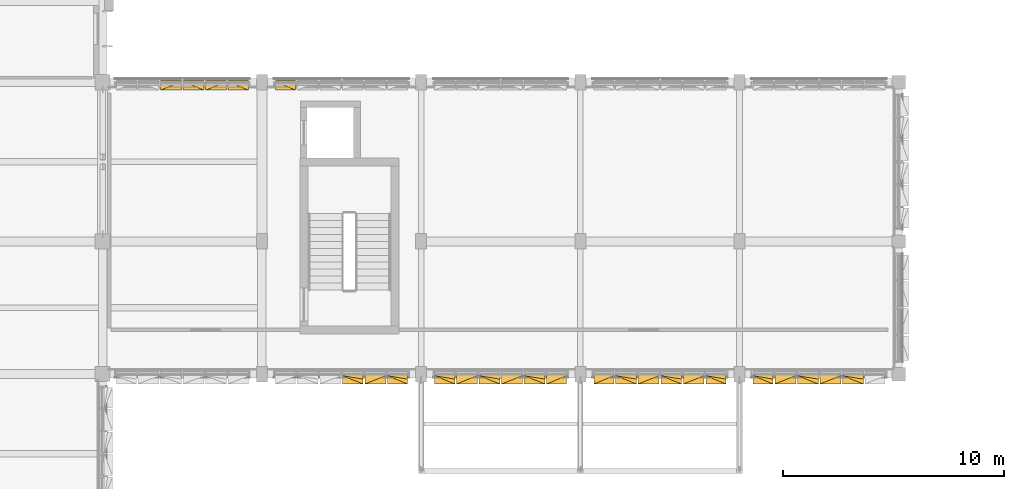
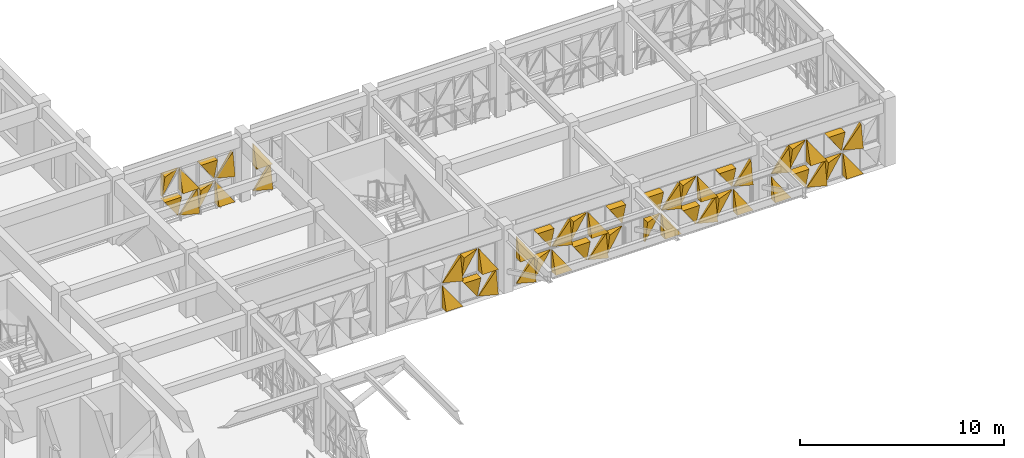
# One storey, part 86 of 88: 50 coverings.
"""IFC4 building model written with IfcOpenShell, lengths in metres."""

from ifc_helpers import new_model, si_unit, direction, frame, origin, place, context, subcontext, project, spatial, polygons, material, layer, layer_set, type_object, element, save


model = new_model("IFC4")

# Units and contexts
model_context = context("Model", 3, precision=1e-05, world=origin(), true_north=direction((0.0, 1.0)))
body_context = subcontext(model_context, "Body", "Model", "MODEL_VIEW")
ifc_project = project(units=[si_unit("LENGTHUNIT", "METRE"), si_unit("AREAUNIT", "SQUARE_METRE"), si_unit("VOLUMEUNIT", "CUBIC_METRE"), si_unit("PLANEANGLEUNIT", "RADIAN"), si_unit("MASSUNIT", "GRAM", prefix="KILO")], contexts=[model_context])

# Site, building, storey
site_placement = place(None, origin())
site = spatial("IfcSite", under=ifc_project, at=site_placement, CompositionType="ELEMENT")
building_placement = place(site_placement, origin())
building = spatial("IfcBuilding", under=site, at=building_placement, Name="Alvorim Cloister Faculty of Sciences", CompositionType="ELEMENT")
storey_placement = place(building_placement, frame((0.0, 0.0, 4.5)))
storey = spatial("IfcBuildingStorey", under=building, at=storey_placement, Name="L01", CompositionType="ELEMENT", Elevation=4.5)

# Coverings
ifc_material = material(Name="Perforated Bronze Alloy Sheet", Category="metal")
ifc_layer = layer(ifc_material, 0.0380859375)
ifc_layer_set = layer_set([ifc_layer], Name="Perforated Bronze Alloy Sheet")
covering_type = type_object("IfcCoveringType", Name="COV-TRI-BRZ", PredefinedType="CLADDING", material=ifc_layer_set)
covering_1_placement = place(storey_placement, frame((31.41748046875, 56.445068359375, 0.159912109375), z_axis=(0.0, 0.0, 1.0), x_axis=(1.0, 0.0, 0.0)))
element("IfcCovering", 1, at=covering_1_placement, inside=storey, type_object=covering_type, Name="Diagonal Solid Metal Triangle TRI-TR", PredefinedType="CLADDING", context=body_context, shape_type="Tessellation", body=[
    polygons([(0.945068359375, 0.0260009765625, 0.002), (0.945068359375, 0.0260009765625, 1.344970703125), (0.002, 0.0260009765625, 1.344970703125), (0.945068359375, -0.03, 0.002), (0.945068359375, -0.4, 1.344970703125), (0.002, -0.4, 1.344970703125)], [[[1, 3, 2]], [[4, 5, 6]], [[1, 2, 5, 4]], [[2, 3, 6, 5]], [[3, 1, 4, 6]]], closed=True),
])
covering_2_placement = place(storey_placement, frame((31.41748046875, 56.445068359375, 1.6650390625), z_axis=(0.0, 0.0, 1.0), x_axis=(1.0, 0.0, 0.0)))
element("IfcCovering", 2, at=covering_2_placement, inside=storey, type_object=covering_type, Name="Diagonal Solid Metal Triangle TRI-TL", PredefinedType="CLADDING", context=body_context, shape_type="Tessellation", body=[
    polygons([(0.943068359375, 0.0260009765625, 1.344970703125), (0.0, 0.0260009765625, 1.344970703125), (0.0, 0.0260009765625, 0.002), (0.943068359375, -0.03, 1.344970703125), (0.0, -0.4, 1.344970703125), (0.0, -0.13999999999999999, 0.002)], [[[1, 3, 2]], [[4, 5, 6]], [[1, 2, 5, 4]], [[2, 3, 6, 5]], [[3, 1, 4, 6]]], closed=True),
])
covering_3_placement = place(storey_placement, frame((32.4375, 56.445068359375, 0.159912109375), z_axis=(0.0, 0.0, 1.0), x_axis=(1.0, 0.0, 0.0)))
element("IfcCovering", 3, at=covering_3_placement, inside=storey, type_object=covering_type, Name="Diagonal Solid Metal Triangle TRI-BR", PredefinedType="CLADDING", context=body_context, shape_type="Tessellation", body=[
    polygons([(0.002, 0.0260009765625, 0.0), (0.945068359375, 0.0260009765625, 0.0), (0.945068359375, 0.0260009765625, 1.342970703125), (0.002, -0.03, 0.0), (0.945068359375, -0.4, 0.0), (0.945068359375, -0.18000000000000002, 1.342970703125)], [[[1, 3, 2]], [[4, 5, 6]], [[1, 2, 5, 4]], [[2, 3, 6, 5]], [[3, 1, 4, 6]]], closed=True),
])
covering_4_placement = place(storey_placement, frame((32.4375, 56.445068359375, 1.6650390625), z_axis=(0.0, 0.0, 1.0), x_axis=(1.0, 0.0, 0.0)))
element("IfcCovering", 4, at=covering_4_placement, inside=storey, type_object=covering_type, Name="Diagonal Solid Metal Triangle TRI-BL", PredefinedType="CLADDING", context=body_context, shape_type="Tessellation", body=[
    polygons([(0.0, 0.0260009765625, 0.0), (0.943068359375, 0.0260009765625, 0.0), (0.0, 0.0260009765625, 1.342970703125), (0.0, -0.4, 0.0), (0.943068359375, -0.4, 0.0), (0.0, -0.03, 1.342970703125)], [[[1, 3, 2]], [[4, 5, 6]], [[1, 2, 5, 4]], [[2, 3, 6, 5]], [[3, 1, 4, 6]]], closed=True),
])
covering_5_placement = place(storey_placement, frame((33.45751953125, 56.445068359375, 0.159912109375), z_axis=(0.0, 0.0, 1.0), x_axis=(1.0, 0.0, 0.0)))
element("IfcCovering", 5, at=covering_5_placement, inside=storey, type_object=covering_type, Name="Diagonal Solid Metal Triangle TRI-TL", PredefinedType="CLADDING", context=body_context, shape_type="Tessellation", body=[
    polygons([(0.943068359375, 0.0260009765625, 1.344970703125), (0.0, 0.0260009765625, 1.344970703125), (0.0, 0.0260009765625, 0.002), (0.943068359375, -0.03, 1.344970703125), (0.0, -0.4, 1.344970703125), (0.0, -0.13999999999999999, 0.002)], [[[1, 3, 2]], [[4, 5, 6]], [[1, 2, 5, 4]], [[2, 3, 6, 5]], [[3, 1, 4, 6]]], closed=True),
])
covering_6_placement = place(storey_placement, frame((33.45751953125, 56.445068359375, 1.6650390625), z_axis=(0.0, 0.0, 1.0), x_axis=(1.0, 0.0, 0.0)))
element("IfcCovering", 6, at=covering_6_placement, inside=storey, type_object=covering_type, Name="Diagonal Solid Metal Triangle TRI-TR", PredefinedType="CLADDING", context=body_context, shape_type="Tessellation", body=[
    polygons([(0.945068359375, 0.0260009765625, 0.002), (0.945068359375, 0.0260009765625, 1.344970703125), (0.002, 0.0260009765625, 1.344970703125), (0.945068359375, -0.03, 0.002), (0.945068359375, -0.4, 1.344970703125), (0.002, -0.4, 1.344970703125)], [[[1, 3, 2]], [[4, 5, 6]], [[1, 2, 5, 4]], [[2, 3, 6, 5]], [[3, 1, 4, 6]]], closed=True),
])
covering_7_placement = place(storey_placement, frame((34.4775390625, 56.445068359375, 0.159912109375), z_axis=(0.0, 0.0, 1.0), x_axis=(1.0, 0.0, 0.0)))
element("IfcCovering", 7, at=covering_7_placement, inside=storey, type_object=covering_type, Name="Diagonal Solid Metal Triangle TRI-BL", PredefinedType="CLADDING", context=body_context, shape_type="Tessellation", body=[
    polygons([(0.0, 0.0260009765625, 0.0), (0.905470703125, 0.0260009765625, 0.0), (0.0, 0.0260009765625, 1.342970703125), (0.0, -0.4, 0.0), (0.905470703125, -0.4, 0.0), (0.0, -0.03, 1.342970703125)], [[[1, 3, 2]], [[4, 5, 6]], [[1, 2, 5, 4]], [[2, 3, 6, 5]], [[3, 1, 4, 6]]], closed=True),
])
for number, where, z_axis, x_axis, name in (
    (8, (34.4775390625, 56.445068359375, 1.6650390625), (0.0, 0.0, 1.0), (1.0, 0.0, 0.0), "Diagonal Solid Metal Triangle TRI-BR"),
    (9, (36.614990234375, 56.445068359375, 0.159912109375), (0.0, 0.0, 1.0), (1.0, 0.0, 0.0), "Diagonal Solid Metal Triangle TRI-BR"),
):
    element("IfcCovering", number, at=place(storey_placement, frame(where, z_axis=z_axis, x_axis=x_axis)), inside=storey, type_object=covering_type, Name=name, PredefinedType="CLADDING", context=body_context, shape_type="Tessellation", body=[
        polygons([(0.002, 0.0260009765625, 0.0), (0.907470703125, 0.0260009765625, 0.0), (0.907470703125, 0.0260009765625, 1.342970703125), (0.002, -0.03, 0.0), (0.907470703125, -0.4, 0.0), (0.907470703125, -0.18000000000000002, 1.342970703125)], [[[1, 3, 2]], [[4, 5, 6]], [[1, 2, 5, 4]], [[2, 3, 6, 5]], [[3, 1, 4, 6]]], closed=True),
    ])
for number, where, z_axis, x_axis, name in (
    (10, (36.614990234375, 56.445068359375, 1.6650390625), (0.0, 0.0, 1.0), (1.0, 0.0, 0.0), "Diagonal Solid Metal Triangle TRI-BL"),
    (11, (58.215087890625, 43.155029296875, 0.159912109375), (0.0, 0.0, 1.0), (1.0, 0.0, 0.0), "Diagonal Solid Metal Triangle TRI-BL"),
):
    element("IfcCovering", number, at=place(storey_placement, frame(where, z_axis=z_axis, x_axis=x_axis)), inside=storey, type_object=covering_type, Name=name, PredefinedType="CLADDING", context=body_context, shape_type="Tessellation", body=[
        polygons([(0.0, 0.0260009765625, 0.0), (0.905470703125, 0.0260009765625, 0.0), (0.0, 0.0260009765625, 1.342970703125), (0.0, -0.4, 0.0), (0.905470703125, -0.4, 0.0), (0.0, -0.03, 1.342970703125)], [[[1, 3, 2]], [[4, 5, 6]], [[1, 2, 5, 4]], [[2, 3, 6, 5]], [[3, 1, 4, 6]]], closed=True),
    ])
covering_8_placement = place(storey_placement, frame((58.215087890625, 43.155029296875, 1.6650390625), z_axis=(0.0, 0.0, 1.0), x_axis=(1.0, 0.0, 0.0)))
element("IfcCovering", 12, at=covering_8_placement, inside=storey, type_object=covering_type, Name="Diagonal Solid Metal Triangle TRI-BR", PredefinedType="CLADDING", context=body_context, shape_type="Tessellation", body=[
    polygons([(0.002, 0.0260009765625, 0.0), (0.907470703125, 0.0260009765625, 0.0), (0.907470703125, 0.0260009765625, 1.342970703125), (0.002, -0.03, 0.0), (0.907470703125, -0.4, 0.0), (0.907470703125, -0.18000000000000002, 1.342970703125)], [[[1, 3, 2]], [[4, 5, 6]], [[1, 2, 5, 4]], [[2, 3, 6, 5]], [[3, 1, 4, 6]]], closed=True),
])
covering_9_placement = place(storey_placement, frame((59.197509765625, 43.155029296875, 0.159912109375), z_axis=(0.0, 0.0, 1.0), x_axis=(1.0, 0.0, 0.0)))
element("IfcCovering", 13, at=covering_9_placement, inside=storey, type_object=covering_type, Name="Diagonal Solid Metal Triangle TRI-TR", PredefinedType="CLADDING", context=body_context, shape_type="Tessellation", body=[
    polygons([(0.945068359375, 0.0260009765625, 0.002), (0.945068359375, 0.0260009765625, 1.344970703125), (0.002, 0.0260009765625, 1.344970703125), (0.945068359375, -0.03, 0.002), (0.945068359375, -0.4, 1.344970703125), (0.002, -0.4, 1.344970703125)], [[[1, 3, 2]], [[4, 5, 6]], [[1, 2, 5, 4]], [[2, 3, 6, 5]], [[3, 1, 4, 6]]], closed=True),
])
covering_10_placement = place(storey_placement, frame((59.197509765625, 43.155029296875, 1.6650390625), z_axis=(0.0, 0.0, 1.0), x_axis=(1.0, 0.0, 0.0)))
element("IfcCovering", 14, at=covering_10_placement, inside=storey, type_object=covering_type, Name="Diagonal Solid Metal Triangle TRI-TL", PredefinedType="CLADDING", context=body_context, shape_type="Tessellation", body=[
    polygons([(0.943068359375, 0.0260009765625, 1.344970703125), (0.0, 0.0260009765625, 1.344970703125), (0.0, 0.0260009765625, 0.002), (0.943068359375, -0.03, 1.344970703125), (0.0, -0.4, 1.344970703125), (0.0, -0.13999999999999999, 0.002)], [[[1, 3, 2]], [[4, 5, 6]], [[1, 2, 5, 4]], [[2, 3, 6, 5]], [[3, 1, 4, 6]]], closed=True),
])
covering_11_placement = place(storey_placement, frame((60.217529296875, 43.155029296875, 0.159912109375), z_axis=(0.0, 0.0, 1.0), x_axis=(1.0, 0.0, 0.0)))
element("IfcCovering", 15, at=covering_11_placement, inside=storey, type_object=covering_type, Name="Diagonal Solid Metal Triangle TRI-BR", PredefinedType="CLADDING", context=body_context, shape_type="Tessellation", body=[
    polygons([(0.002, 0.0260009765625, 0.0), (0.945068359375, 0.0260009765625, 0.0), (0.945068359375, 0.0260009765625, 1.342970703125), (0.002, -0.03, 0.0), (0.945068359375, -0.4, 0.0), (0.945068359375, -0.18000000000000002, 1.342970703125)], [[[1, 3, 2]], [[4, 5, 6]], [[1, 2, 5, 4]], [[2, 3, 6, 5]], [[3, 1, 4, 6]]], closed=True),
])
covering_12_placement = place(storey_placement, frame((60.217529296875, 43.155029296875, 1.6650390625), z_axis=(0.0, 0.0, 1.0), x_axis=(1.0, 0.0, 0.0)))
element("IfcCovering", 16, at=covering_12_placement, inside=storey, type_object=covering_type, Name="Diagonal Solid Metal Triangle TRI-BL", PredefinedType="CLADDING", context=body_context, shape_type="Tessellation", body=[
    polygons([(0.0, 0.0260009765625, 0.0), (0.943068359375, 0.0260009765625, 0.0), (0.0, 0.0260009765625, 1.342970703125), (0.0, -0.4, 0.0), (0.943068359375, -0.4, 0.0), (0.0, -0.03, 1.342970703125)], [[[1, 3, 2]], [[4, 5, 6]], [[1, 2, 5, 4]], [[2, 3, 6, 5]], [[3, 1, 4, 6]]], closed=True),
])
covering_13_placement = place(storey_placement, frame((61.237548828125, 43.155029296875, 0.159912109375), z_axis=(0.0, 0.0, 1.0), x_axis=(1.0, 0.0, 0.0)))
element("IfcCovering", 17, at=covering_13_placement, inside=storey, type_object=covering_type, Name="Diagonal Solid Metal Triangle TRI-TL", PredefinedType="CLADDING", context=body_context, shape_type="Tessellation", body=[
    polygons([(0.943068359375, 0.0260009765625, 1.344970703125), (0.0, 0.0260009765625, 1.344970703125), (0.0, 0.0260009765625, 0.002), (0.943068359375, -0.03, 1.344970703125), (0.0, -0.4, 1.344970703125), (0.0, -0.13999999999999999, 0.002)], [[[1, 3, 2]], [[4, 5, 6]], [[1, 2, 5, 4]], [[2, 3, 6, 5]], [[3, 1, 4, 6]]], closed=True),
])
covering_14_placement = place(storey_placement, frame((61.237548828125, 43.155029296875, 1.6650390625), z_axis=(0.0, 0.0, 1.0), x_axis=(1.0, 0.0, 0.0)))
element("IfcCovering", 18, at=covering_14_placement, inside=storey, type_object=covering_type, Name="Diagonal Solid Metal Triangle TRI-TR", PredefinedType="CLADDING", context=body_context, shape_type="Tessellation", body=[
    polygons([(0.945068359375, 0.0260009765625, 0.002), (0.945068359375, 0.0260009765625, 1.344970703125), (0.002, 0.0260009765625, 1.344970703125), (0.945068359375, -0.03, 0.002), (0.945068359375, -0.4, 1.344970703125), (0.002, -0.4, 1.344970703125)], [[[1, 3, 2]], [[4, 5, 6]], [[1, 2, 5, 4]], [[2, 3, 6, 5]], [[3, 1, 4, 6]]], closed=True),
])
covering_15_placement = place(storey_placement, frame((62.257568359375, 43.155029296875, 0.159912109375), z_axis=(0.0, 0.0, 1.0), x_axis=(1.0, 0.0, 0.0)))
element("IfcCovering", 19, at=covering_15_placement, inside=storey, type_object=covering_type, Name="Diagonal Solid Metal Triangle TRI-BL", PredefinedType="CLADDING", context=body_context, shape_type="Tessellation", body=[
    polygons([(0.0, 0.0260009765625, 0.0), (0.943068359375, 0.0260009765625, 0.0), (0.0, 0.0260009765625, 1.342970703125), (0.0, -0.4, 0.0), (0.943068359375, -0.4, 0.0), (0.0, -0.03, 1.342970703125)], [[[1, 3, 2]], [[4, 5, 6]], [[1, 2, 5, 4]], [[2, 3, 6, 5]], [[3, 1, 4, 6]]], closed=True),
])
covering_16_placement = place(storey_placement, frame((62.257568359375, 43.155029296875, 1.6650390625), z_axis=(0.0, 0.0, 1.0), x_axis=(1.0, 0.0, 0.0)))
element("IfcCovering", 20, at=covering_16_placement, inside=storey, type_object=covering_type, Name="Diagonal Solid Metal Triangle TRI-BR", PredefinedType="CLADDING", context=body_context, shape_type="Tessellation", body=[
    polygons([(0.002, 0.0260009765625, 0.0), (0.945068359375, 0.0260009765625, 0.0), (0.945068359375, 0.0260009765625, 1.342970703125), (0.002, -0.03, 0.0), (0.945068359375, -0.4, 0.0), (0.945068359375, -0.18000000000000002, 1.342970703125)], [[[1, 3, 2]], [[4, 5, 6]], [[1, 2, 5, 4]], [[2, 3, 6, 5]], [[3, 1, 4, 6]]], closed=True),
])
covering_17_placement = place(storey_placement, frame((51.014892578125, 43.155029296875, 0.159912109375), z_axis=(0.0, 0.0, 1.0), x_axis=(1.0, 0.0, 0.0)))
element("IfcCovering", 21, at=covering_17_placement, inside=storey, type_object=covering_type, Name="Diagonal Solid Metal Triangle TRI-TL", PredefinedType="CLADDING", context=body_context, shape_type="Tessellation", body=[
    polygons([(0.905470703125, 0.0260009765625, 1.344970703125), (0.0, 0.0260009765625, 1.344970703125), (0.0, 0.0260009765625, 0.002), (0.905470703125, -0.03, 1.344970703125), (0.0, -0.4, 1.344970703125), (0.0, -0.13999999999999999, 0.002)], [[[1, 3, 2]], [[4, 5, 6]], [[1, 2, 5, 4]], [[2, 3, 6, 5]], [[3, 1, 4, 6]]], closed=True),
])
covering_18_placement = place(storey_placement, frame((51.014892578125, 43.155029296875, 1.6650390625), z_axis=(0.0, 0.0, 1.0), x_axis=(1.0, 0.0, 0.0)))
element("IfcCovering", 22, at=covering_18_placement, inside=storey, type_object=covering_type, Name="Diagonal Solid Metal Triangle TRI-TR", PredefinedType="CLADDING", context=body_context, shape_type="Tessellation", body=[
    polygons([(0.907470703125, 0.0260009765625, 0.002), (0.907470703125, 0.0260009765625, 1.344970703125), (0.002, 0.0260009765625, 1.344970703125), (0.907470703125, -0.03, 0.002), (0.907470703125, -0.4, 1.344970703125), (0.002, -0.4, 1.344970703125)], [[[1, 3, 2]], [[4, 5, 6]], [[1, 2, 5, 4]], [[2, 3, 6, 5]], [[3, 1, 4, 6]]], closed=True),
])
covering_19_placement = place(storey_placement, frame((51.99755859375, 43.155029296875, 0.159912109375), z_axis=(0.0, 0.0, 1.0), x_axis=(1.0, 0.0, 0.0)))
element("IfcCovering", 23, at=covering_19_placement, inside=storey, type_object=covering_type, Name="Diagonal Solid Metal Triangle TRI-BL", PredefinedType="CLADDING", context=body_context, shape_type="Tessellation", body=[
    polygons([(0.0, 0.0260009765625, 0.0), (0.943068359375, 0.0260009765625, 0.0), (0.0, 0.0260009765625, 1.342970703125), (0.0, -0.4, 0.0), (0.943068359375, -0.4, 0.0), (0.0, -0.03, 1.342970703125)], [[[1, 3, 2]], [[4, 5, 6]], [[1, 2, 5, 4]], [[2, 3, 6, 5]], [[3, 1, 4, 6]]], closed=True),
])
covering_20_placement = place(storey_placement, frame((51.99755859375, 43.155029296875, 1.6650390625), z_axis=(0.0, 0.0, 1.0), x_axis=(1.0, 0.0, 0.0)))
element("IfcCovering", 24, at=covering_20_placement, inside=storey, type_object=covering_type, Name="Diagonal Solid Metal Triangle TRI-BR", PredefinedType="CLADDING", context=body_context, shape_type="Tessellation", body=[
    polygons([(0.002, 0.0260009765625, 0.0), (0.945068359375, 0.0260009765625, 0.0), (0.945068359375, 0.0260009765625, 1.342970703125), (0.002, -0.03, 0.0), (0.945068359375, -0.4, 0.0), (0.945068359375, -0.18000000000000002, 1.342970703125)], [[[1, 3, 2]], [[4, 5, 6]], [[1, 2, 5, 4]], [[2, 3, 6, 5]], [[3, 1, 4, 6]]], closed=True),
])
covering_21_placement = place(storey_placement, frame((53.017578125, 43.155029296875, 0.159912109375), z_axis=(0.0, 0.0, 1.0), x_axis=(1.0, 0.0, 0.0)))
element("IfcCovering", 25, at=covering_21_placement, inside=storey, type_object=covering_type, Name="Diagonal Solid Metal Triangle TRI-TR", PredefinedType="CLADDING", context=body_context, shape_type="Tessellation", body=[
    polygons([(0.945068359375, 0.0260009765625, 0.002), (0.945068359375, 0.0260009765625, 1.344970703125), (0.002, 0.0260009765625, 1.344970703125), (0.945068359375, -0.03, 0.002), (0.945068359375, -0.4, 1.344970703125), (0.002, -0.4, 1.344970703125)], [[[1, 3, 2]], [[4, 5, 6]], [[1, 2, 5, 4]], [[2, 3, 6, 5]], [[3, 1, 4, 6]]], closed=True),
])
covering_22_placement = place(storey_placement, frame((53.017578125, 43.155029296875, 1.6650390625), z_axis=(0.0, 0.0, 1.0), x_axis=(1.0, 0.0, 0.0)))
element("IfcCovering", 26, at=covering_22_placement, inside=storey, type_object=covering_type, Name="Diagonal Solid Metal Triangle TRI-TL", PredefinedType="CLADDING", context=body_context, shape_type="Tessellation", body=[
    polygons([(0.943068359375, 0.0260009765625, 1.344970703125), (0.0, 0.0260009765625, 1.344970703125), (0.0, 0.0260009765625, 0.002), (0.943068359375, -0.03, 1.344970703125), (0.0, -0.4, 1.344970703125), (0.0, -0.13999999999999999, 0.002)], [[[1, 3, 2]], [[4, 5, 6]], [[1, 2, 5, 4]], [[2, 3, 6, 5]], [[3, 1, 4, 6]]], closed=True),
])
covering_23_placement = place(storey_placement, frame((54.03759765625, 43.155029296875, 0.159912109375), z_axis=(0.0, 0.0, 1.0), x_axis=(1.0, 0.0, 0.0)))
element("IfcCovering", 27, at=covering_23_placement, inside=storey, type_object=covering_type, Name="Diagonal Solid Metal Triangle TRI-BR", PredefinedType="CLADDING", context=body_context, shape_type="Tessellation", body=[
    polygons([(0.002, 0.0260009765625, 0.0), (0.945068359375, 0.0260009765625, 0.0), (0.945068359375, 0.0260009765625, 1.342970703125), (0.002, -0.03, 0.0), (0.945068359375, -0.4, 0.0), (0.945068359375, -0.18000000000000002, 1.342970703125)], [[[1, 3, 2]], [[4, 5, 6]], [[1, 2, 5, 4]], [[2, 3, 6, 5]], [[3, 1, 4, 6]]], closed=True),
])
covering_24_placement = place(storey_placement, frame((54.03759765625, 43.155029296875, 1.6650390625), z_axis=(0.0, 0.0, 1.0), x_axis=(1.0, 0.0, 0.0)))
element("IfcCovering", 28, at=covering_24_placement, inside=storey, type_object=covering_type, Name="Diagonal Solid Metal Triangle TRI-BL", PredefinedType="CLADDING", context=body_context, shape_type="Tessellation", body=[
    polygons([(0.0, 0.0260009765625, 0.0), (0.943068359375, 0.0260009765625, 0.0), (0.0, 0.0260009765625, 1.342970703125), (0.0, -0.4, 0.0), (0.943068359375, -0.4, 0.0), (0.0, -0.03, 1.342970703125)], [[[1, 3, 2]], [[4, 5, 6]], [[1, 2, 5, 4]], [[2, 3, 6, 5]], [[3, 1, 4, 6]]], closed=True),
])
covering_25_placement = place(storey_placement, frame((55.0576171875, 43.155029296875, 0.159912109375), z_axis=(0.0, 0.0, 1.0), x_axis=(1.0, 0.0, 0.0)))
element("IfcCovering", 29, at=covering_25_placement, inside=storey, type_object=covering_type, Name="Diagonal Solid Metal Triangle TRI-TL", PredefinedType="CLADDING", context=body_context, shape_type="Tessellation", body=[
    polygons([(0.943068359375, 0.0260009765625, 1.344970703125), (0.0, 0.0260009765625, 1.344970703125), (0.0, 0.0260009765625, 0.002), (0.943068359375, -0.03, 1.344970703125), (0.0, -0.4, 1.344970703125), (0.0, -0.13999999999999999, 0.002)], [[[1, 3, 2]], [[4, 5, 6]], [[1, 2, 5, 4]], [[2, 3, 6, 5]], [[3, 1, 4, 6]]], closed=True),
])
covering_26_placement = place(storey_placement, frame((55.0576171875, 43.155029296875, 1.6650390625), z_axis=(0.0, 0.0, 1.0), x_axis=(1.0, 0.0, 0.0)))
element("IfcCovering", 30, at=covering_26_placement, inside=storey, type_object=covering_type, Name="Diagonal Solid Metal Triangle TRI-TR", PredefinedType="CLADDING", context=body_context, shape_type="Tessellation", body=[
    polygons([(0.945068359375, 0.0260009765625, 0.002), (0.945068359375, 0.0260009765625, 1.344970703125), (0.002, 0.0260009765625, 1.344970703125), (0.945068359375, -0.03, 0.002), (0.945068359375, -0.4, 1.344970703125), (0.002, -0.4, 1.344970703125)], [[[1, 3, 2]], [[4, 5, 6]], [[1, 2, 5, 4]], [[2, 3, 6, 5]], [[3, 1, 4, 6]]], closed=True),
])
covering_27_placement = place(storey_placement, frame((56.077392578125, 43.155029296875, 0.159912109375), z_axis=(0.0, 0.0, 1.0), x_axis=(1.0, 0.0, 0.0)))
element("IfcCovering", 31, at=covering_27_placement, inside=storey, type_object=covering_type, Name="Diagonal Solid Metal Triangle TRI-BL", PredefinedType="CLADDING", context=body_context, shape_type="Tessellation", body=[
    polygons([(0.0, 0.0260009765625, 0.0), (0.905470703125, 0.0260009765625, 0.0), (0.0, 0.0260009765625, 1.342970703125), (0.0, -0.4, 0.0), (0.905470703125, -0.4, 0.0), (0.0, -0.03, 1.342970703125)], [[[1, 3, 2]], [[4, 5, 6]], [[1, 2, 5, 4]], [[2, 3, 6, 5]], [[3, 1, 4, 6]]], closed=True),
])
for number, where, z_axis, x_axis, name in (
    (32, (56.077392578125, 43.155029296875, 1.6650390625), (0.0, 0.0, 1.0), (1.0, 0.0, 0.0), "Diagonal Solid Metal Triangle TRI-BR"),
    (33, (43.81494140625, 43.155029296875, 0.159912109375), (0.0, 0.0, 1.0), (1.0, 0.0, 0.0), "Diagonal Solid Metal Triangle TRI-BR"),
):
    element("IfcCovering", number, at=place(storey_placement, frame(where, z_axis=z_axis, x_axis=x_axis)), inside=storey, type_object=covering_type, Name=name, PredefinedType="CLADDING", context=body_context, shape_type="Tessellation", body=[
        polygons([(0.002, 0.0260009765625, 0.0), (0.907470703125, 0.0260009765625, 0.0), (0.907470703125, 0.0260009765625, 1.342970703125), (0.002, -0.03, 0.0), (0.907470703125, -0.4, 0.0), (0.907470703125, -0.18000000000000002, 1.342970703125)], [[[1, 3, 2]], [[4, 5, 6]], [[1, 2, 5, 4]], [[2, 3, 6, 5]], [[3, 1, 4, 6]]], closed=True),
    ])
covering_28_placement = place(storey_placement, frame((43.81494140625, 43.155029296875, 1.6650390625), z_axis=(0.0, 0.0, 1.0), x_axis=(1.0, 0.0, 0.0)))
element("IfcCovering", 34, at=covering_28_placement, inside=storey, type_object=covering_type, Name="Diagonal Solid Metal Triangle TRI-BL", PredefinedType="CLADDING", context=body_context, shape_type="Tessellation", body=[
    polygons([(0.0, 0.0260009765625, 0.0), (0.905470703125, 0.0260009765625, 0.0), (0.0, 0.0260009765625, 1.342970703125), (0.0, -0.4, 0.0), (0.905470703125, -0.4, 0.0), (0.0, -0.03, 1.342970703125)], [[[1, 3, 2]], [[4, 5, 6]], [[1, 2, 5, 4]], [[2, 3, 6, 5]], [[3, 1, 4, 6]]], closed=True),
])
covering_29_placement = place(storey_placement, frame((44.797607421875, 43.155029296875, 0.159912109375), z_axis=(0.0, 0.0, 1.0), x_axis=(1.0, 0.0, 0.0)))
element("IfcCovering", 35, at=covering_29_placement, inside=storey, type_object=covering_type, Name="Diagonal Solid Metal Triangle TRI-TL", PredefinedType="CLADDING", context=body_context, shape_type="Tessellation", body=[
    polygons([(0.943068359375, 0.0260009765625, 1.344970703125), (0.0, 0.0260009765625, 1.344970703125), (0.0, 0.0260009765625, 0.002), (0.943068359375, -0.03, 1.344970703125), (0.0, -0.4, 1.344970703125), (0.0, -0.13999999999999999, 0.002)], [[[1, 3, 2]], [[4, 5, 6]], [[1, 2, 5, 4]], [[2, 3, 6, 5]], [[3, 1, 4, 6]]], closed=True),
])
covering_30_placement = place(storey_placement, frame((44.797607421875, 43.155029296875, 1.6650390625), z_axis=(0.0, 0.0, 1.0), x_axis=(1.0, 0.0, 0.0)))
element("IfcCovering", 36, at=covering_30_placement, inside=storey, type_object=covering_type, Name="Diagonal Solid Metal Triangle TRI-TR", PredefinedType="CLADDING", context=body_context, shape_type="Tessellation", body=[
    polygons([(0.945068359375, 0.0260009765625, 0.002), (0.945068359375, 0.0260009765625, 1.344970703125), (0.002, 0.0260009765625, 1.344970703125), (0.945068359375, -0.03, 0.002), (0.945068359375, -0.4, 1.344970703125), (0.002, -0.4, 1.344970703125)], [[[1, 3, 2]], [[4, 5, 6]], [[1, 2, 5, 4]], [[2, 3, 6, 5]], [[3, 1, 4, 6]]], closed=True),
])
covering_31_placement = place(storey_placement, frame((45.8173828125, 43.155029296875, 0.159912109375), z_axis=(0.0, 0.0, 1.0), x_axis=(1.0, 0.0, 0.0)))
element("IfcCovering", 37, at=covering_31_placement, inside=storey, type_object=covering_type, Name="Diagonal Solid Metal Triangle TRI-BL", PredefinedType="CLADDING", context=body_context, shape_type="Tessellation", body=[
    polygons([(0.0, 0.0260009765625, 0.0), (0.943068359375, 0.0260009765625, 0.0), (0.0, 0.0260009765625, 1.342970703125), (0.0, -0.4, 0.0), (0.943068359375, -0.4, 0.0), (0.0, -0.03, 1.342970703125)], [[[1, 3, 2]], [[4, 5, 6]], [[1, 2, 5, 4]], [[2, 3, 6, 5]], [[3, 1, 4, 6]]], closed=True),
])
covering_32_placement = place(storey_placement, frame((45.8173828125, 43.155029296875, 1.6650390625), z_axis=(0.0, 0.0, 1.0), x_axis=(1.0, 0.0, 0.0)))
element("IfcCovering", 38, at=covering_32_placement, inside=storey, type_object=covering_type, Name="Diagonal Solid Metal Triangle TRI-BR", PredefinedType="CLADDING", context=body_context, shape_type="Tessellation", body=[
    polygons([(0.002, 0.0260009765625, 0.0), (0.945068359375, 0.0260009765625, 0.0), (0.945068359375, 0.0260009765625, 1.342970703125), (0.002, -0.03, 0.0), (0.945068359375, -0.4, 0.0), (0.945068359375, -0.18000000000000002, 1.342970703125)], [[[1, 3, 2]], [[4, 5, 6]], [[1, 2, 5, 4]], [[2, 3, 6, 5]], [[3, 1, 4, 6]]], closed=True),
])
covering_33_placement = place(storey_placement, frame((46.83740234375, 43.155029296875, 0.159912109375), z_axis=(0.0, 0.0, 1.0), x_axis=(1.0, 0.0, 0.0)))
element("IfcCovering", 39, at=covering_33_placement, inside=storey, type_object=covering_type, Name="Diagonal Solid Metal Triangle TRI-TR", PredefinedType="CLADDING", context=body_context, shape_type="Tessellation", body=[
    polygons([(0.945068359375, 0.0260009765625, 0.002), (0.945068359375, 0.0260009765625, 1.344970703125), (0.002, 0.0260009765625, 1.344970703125), (0.945068359375, -0.03, 0.002), (0.945068359375, -0.4, 1.344970703125), (0.002, -0.4, 1.344970703125)], [[[1, 3, 2]], [[4, 5, 6]], [[1, 2, 5, 4]], [[2, 3, 6, 5]], [[3, 1, 4, 6]]], closed=True),
])
covering_34_placement = place(storey_placement, frame((46.83740234375, 43.155029296875, 1.6650390625), z_axis=(0.0, 0.0, 1.0), x_axis=(1.0, 0.0, 0.0)))
element("IfcCovering", 40, at=covering_34_placement, inside=storey, type_object=covering_type, Name="Diagonal Solid Metal Triangle TRI-TL", PredefinedType="CLADDING", context=body_context, shape_type="Tessellation", body=[
    polygons([(0.943068359375, 0.0260009765625, 1.344970703125), (0.0, 0.0260009765625, 1.344970703125), (0.0, 0.0260009765625, 0.002), (0.943068359375, -0.03, 1.344970703125), (0.0, -0.4, 1.344970703125), (0.0, -0.13999999999999999, 0.002)], [[[1, 3, 2]], [[4, 5, 6]], [[1, 2, 5, 4]], [[2, 3, 6, 5]], [[3, 1, 4, 6]]], closed=True),
])
covering_35_placement = place(storey_placement, frame((47.857421875, 43.155029296875, 0.159912109375), z_axis=(0.0, 0.0, 1.0), x_axis=(1.0, 0.0, 0.0)))
element("IfcCovering", 41, at=covering_35_placement, inside=storey, type_object=covering_type, Name="Diagonal Solid Metal Triangle TRI-BR", PredefinedType="CLADDING", context=body_context, shape_type="Tessellation", body=[
    polygons([(0.002, 0.0260009765625, 0.0), (0.945068359375, 0.0260009765625, 0.0), (0.945068359375, 0.0260009765625, 1.342970703125), (0.002, -0.03, 0.0), (0.945068359375, -0.4, 0.0), (0.945068359375, -0.18000000000000002, 1.342970703125)], [[[1, 3, 2]], [[4, 5, 6]], [[1, 2, 5, 4]], [[2, 3, 6, 5]], [[3, 1, 4, 6]]], closed=True),
])
covering_36_placement = place(storey_placement, frame((47.857421875, 43.155029296875, 1.6650390625), z_axis=(0.0, 0.0, 1.0), x_axis=(1.0, 0.0, 0.0)))
element("IfcCovering", 42, at=covering_36_placement, inside=storey, type_object=covering_type, Name="Diagonal Solid Metal Triangle TRI-BL", PredefinedType="CLADDING", context=body_context, shape_type="Tessellation", body=[
    polygons([(0.0, 0.0260009765625, 0.0), (0.943068359375, 0.0260009765625, 0.0), (0.0, 0.0260009765625, 1.342970703125), (0.0, -0.4, 0.0), (0.943068359375, -0.4, 0.0), (0.0, -0.03, 1.342970703125)], [[[1, 3, 2]], [[4, 5, 6]], [[1, 2, 5, 4]], [[2, 3, 6, 5]], [[3, 1, 4, 6]]], closed=True),
])
covering_37_placement = place(storey_placement, frame((48.87744140625, 43.155029296875, 0.159912109375), z_axis=(0.0, 0.0, 1.0), x_axis=(1.0, 0.0, 0.0)))
element("IfcCovering", 43, at=covering_37_placement, inside=storey, type_object=covering_type, Name="Diagonal Solid Metal Triangle TRI-TL", PredefinedType="CLADDING", context=body_context, shape_type="Tessellation", body=[
    polygons([(0.905470703125, 0.0260009765625, 1.344970703125), (0.0, 0.0260009765625, 1.344970703125), (0.0, 0.0260009765625, 0.002), (0.905470703125, -0.03, 1.344970703125), (0.0, -0.4, 1.344970703125), (0.0, -0.13999999999999999, 0.002)], [[[1, 3, 2]], [[4, 5, 6]], [[1, 2, 5, 4]], [[2, 3, 6, 5]], [[3, 1, 4, 6]]], closed=True),
])
covering_38_placement = place(storey_placement, frame((48.87744140625, 43.155029296875, 1.6650390625), z_axis=(0.0, 0.0, 1.0), x_axis=(1.0, 0.0, 0.0)))
element("IfcCovering", 44, at=covering_38_placement, inside=storey, type_object=covering_type, Name="Diagonal Solid Metal Triangle TRI-TR", PredefinedType="CLADDING", context=body_context, shape_type="Tessellation", body=[
    polygons([(0.907470703125, 0.0260009765625, 0.002), (0.907470703125, 0.0260009765625, 1.344970703125), (0.002, 0.0260009765625, 1.344970703125), (0.907470703125, -0.03, 0.002), (0.907470703125, -0.4, 1.344970703125), (0.002, -0.4, 1.344970703125)], [[[1, 3, 2]], [[4, 5, 6]], [[1, 2, 5, 4]], [[2, 3, 6, 5]], [[3, 1, 4, 6]]], closed=True),
])
covering_39_placement = place(storey_placement, frame((39.637451171875, 43.155029296875, 0.159912109375), z_axis=(0.0, 0.0, 1.0), x_axis=(1.0, 0.0, 0.0)))
element("IfcCovering", 45, at=covering_39_placement, inside=storey, type_object=covering_type, Name="Diagonal Solid Metal Triangle TRI-BL", PredefinedType="CLADDING", context=body_context, shape_type="Tessellation", body=[
    polygons([(0.0, 0.0260009765625, 0.0), (0.943068359375, 0.0260009765625, 0.0), (0.0, 0.0260009765625, 1.342970703125), (0.0, -0.4, 0.0), (0.943068359375, -0.4, 0.0), (0.0, -0.03, 1.342970703125)], [[[1, 3, 2]], [[4, 5, 6]], [[1, 2, 5, 4]], [[2, 3, 6, 5]], [[3, 1, 4, 6]]], closed=True),
])
covering_40_placement = place(storey_placement, frame((39.637451171875, 43.155029296875, 1.6650390625), z_axis=(0.0, 0.0, 1.0), x_axis=(1.0, 0.0, 0.0)))
element("IfcCovering", 46, at=covering_40_placement, inside=storey, type_object=covering_type, Name="Diagonal Solid Metal Triangle TRI-BR", PredefinedType="CLADDING", context=body_context, shape_type="Tessellation", body=[
    polygons([(0.002, 0.0260009765625, 0.0), (0.945068359375, 0.0260009765625, 0.0), (0.945068359375, 0.0260009765625, 1.342970703125), (0.002, -0.03, 0.0), (0.945068359375, -0.4, 0.0), (0.945068359375, -0.18000000000000002, 1.342970703125)], [[[1, 3, 2]], [[4, 5, 6]], [[1, 2, 5, 4]], [[2, 3, 6, 5]], [[3, 1, 4, 6]]], closed=True),
])
covering_41_placement = place(storey_placement, frame((40.657470703125, 43.155029296875, 0.159912109375), z_axis=(0.0, 0.0, 1.0), x_axis=(1.0, 0.0, 0.0)))
element("IfcCovering", 47, at=covering_41_placement, inside=storey, type_object=covering_type, Name="Diagonal Solid Metal Triangle TRI-TR", PredefinedType="CLADDING", context=body_context, shape_type="Tessellation", body=[
    polygons([(0.945068359375, 0.0260009765625, 0.002), (0.945068359375, 0.0260009765625, 1.344970703125), (0.002, 0.0260009765625, 1.344970703125), (0.945068359375, -0.03, 0.002), (0.945068359375, -0.4, 1.344970703125), (0.002, -0.4, 1.344970703125)], [[[1, 3, 2]], [[4, 5, 6]], [[1, 2, 5, 4]], [[2, 3, 6, 5]], [[3, 1, 4, 6]]], closed=True),
])
covering_42_placement = place(storey_placement, frame((40.657470703125, 43.155029296875, 1.6650390625), z_axis=(0.0, 0.0, 1.0), x_axis=(1.0, 0.0, 0.0)))
element("IfcCovering", 48, at=covering_42_placement, inside=storey, type_object=covering_type, Name="Diagonal Solid Metal Triangle TRI-TL", PredefinedType="CLADDING", context=body_context, shape_type="Tessellation", body=[
    polygons([(0.943068359375, 0.0260009765625, 1.344970703125), (0.0, 0.0260009765625, 1.344970703125), (0.0, 0.0260009765625, 0.002), (0.943068359375, -0.03, 1.344970703125), (0.0, -0.4, 1.344970703125), (0.0, -0.13999999999999999, 0.002)], [[[1, 3, 2]], [[4, 5, 6]], [[1, 2, 5, 4]], [[2, 3, 6, 5]], [[3, 1, 4, 6]]], closed=True),
])
covering_43_placement = place(storey_placement, frame((41.677490234375, 43.155029296875, 0.159912109375), z_axis=(0.0, 0.0, 1.0), x_axis=(1.0, 0.0, 0.0)))
element("IfcCovering", 49, at=covering_43_placement, inside=storey, type_object=covering_type, Name="Diagonal Solid Metal Triangle TRI-BR", PredefinedType="CLADDING", context=body_context, shape_type="Tessellation", body=[
    polygons([(0.002, 0.0260009765625, 0.0), (0.907470703125, 0.0260009765625, 0.0), (0.907470703125, 0.0260009765625, 1.342970703125), (0.002, -0.03, 0.0), (0.907470703125, -0.4, 0.0), (0.907470703125, -0.18000000000000002, 1.342970703125)], [[[1, 3, 2]], [[4, 5, 6]], [[1, 2, 5, 4]], [[2, 3, 6, 5]], [[3, 1, 4, 6]]], closed=True),
])
covering_44_placement = place(storey_placement, frame((41.677490234375, 43.155029296875, 1.6650390625), z_axis=(0.0, 0.0, 1.0), x_axis=(1.0, 0.0, 0.0)))
element("IfcCovering", 50, at=covering_44_placement, inside=storey, type_object=covering_type, Name="Diagonal Solid Metal Triangle TRI-BL", PredefinedType="CLADDING", context=body_context, shape_type="Tessellation", body=[
    polygons([(0.0, 0.0260009765625, 0.0), (0.905470703125, 0.0260009765625, 0.0), (0.0, 0.0260009765625, 1.342970703125), (0.0, -0.4, 0.0), (0.905470703125, -0.4, 0.0), (0.0, -0.03, 1.342970703125)], [[[1, 3, 2]], [[4, 5, 6]], [[1, 2, 5, 4]], [[2, 3, 6, 5]], [[3, 1, 4, 6]]], closed=True),
])

save(model, "model.ifc")
